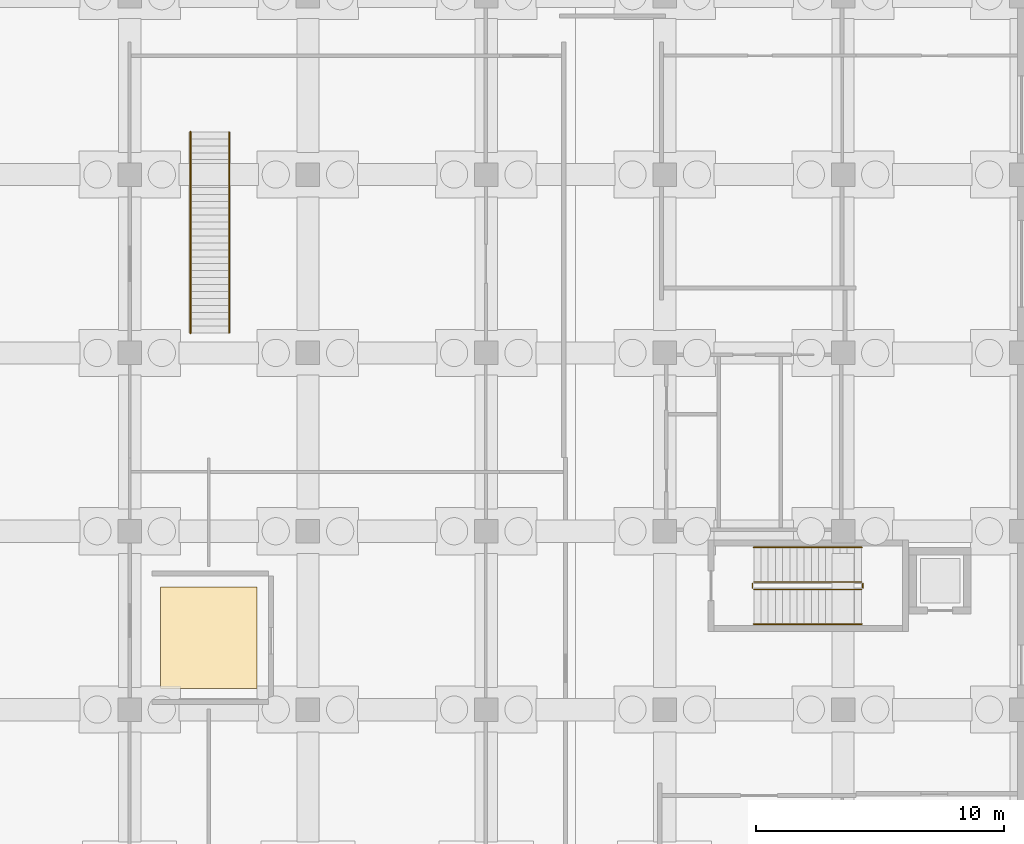
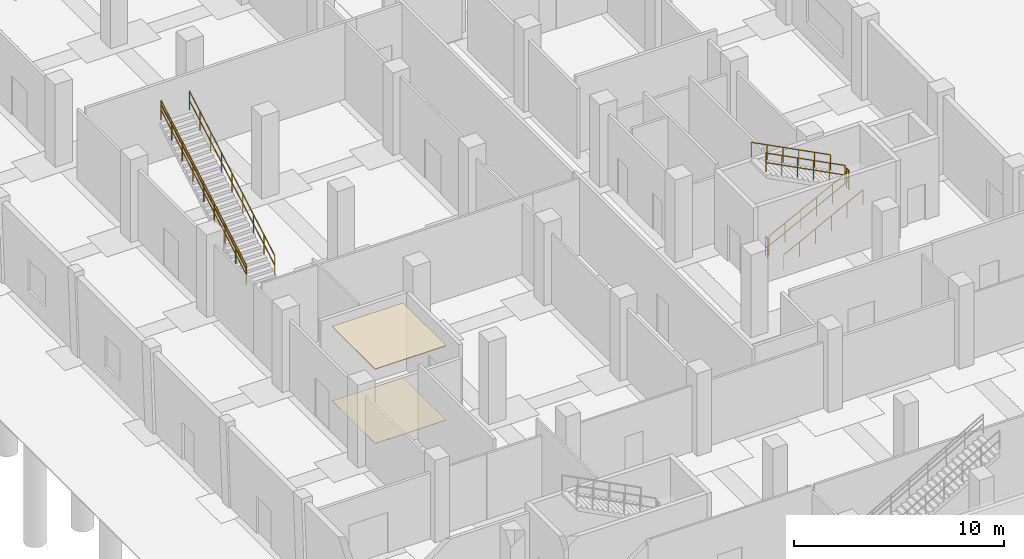
# One storey, part 39 of 48: 9 railings, 2 coverings.
"""IFC4 building model written with IfcOpenShell, lengths in metres."""

from ifc_helpers import new_model, si_unit, direction, frame, origin, origin_2d, place, context, subcontext, project, spatial, polyline, circle, outline, extrude, material, layer, layer_set, type_object, element, save


model = new_model("IFC4")

# Units and contexts
model_context = context("Model", 3, precision=1e-05, world=origin(), true_north=direction((0.0, 1.0)))
body_context = subcontext(model_context, "Body", "Model", "MODEL_VIEW")
ifc_project = project(units=[si_unit("LENGTHUNIT", "METRE"), si_unit("AREAUNIT", "SQUARE_METRE"), si_unit("VOLUMEUNIT", "CUBIC_METRE"), si_unit("PLANEANGLEUNIT", "RADIAN"), si_unit("MASSUNIT", "GRAM", prefix="KILO")], contexts=[model_context])

# Site, building, storey
site_placement = place(None, origin())
site = spatial("IfcSite", under=ifc_project, at=site_placement, CompositionType="ELEMENT")
building_placement = place(site_placement, origin())
building = spatial("IfcBuilding", under=site, at=building_placement, Name="Seraya Terrace Polytechnic", CompositionType="ELEMENT")
storey_placement = place(building_placement, origin())
storey = spatial("IfcBuildingStorey", under=building, at=storey_placement, Name="L00", CompositionType="ELEMENT", Elevation=0.0)

# Coverings
ifc_material_1 = material(Name="Acoustic mineral fibre and timber baffle ceiling", Category="wood")
ifc_layer_1 = layer(ifc_material_1, 0.0400390625, Name="CL-01")
ifc_layer_set_1 = layer_set([ifc_layer_1], Name="Acoustic mineral fibre and timber baffle ceiling")
covering_type_1 = type_object("IfcCoveringType", Name="CL-01", PredefinedType="CEILING", material=ifc_layer_set_1)
covering_1_placement = place(storey_placement, frame((0.0, 0.0, 4.31005859375)))
element("IfcCovering", 1, at=covering_1_placement, inside=storey, type_object=covering_type_1, Name="Acoustic suspended ceiling L00-FCC", PredefinedType="CEILING", context=body_context, shape_type="SweptSolid", body=[
    extrude(outline(polyline([(8.449951171875, 40.949951171875), (12.35009765625, 40.949951171875), (12.35009765625, 36.85009765625), (8.449951171875, 36.85009765625), (8.449951171875, 40.949951171875)])), origin(), (0.0, 0.0, 1.0), 0.0400390625),
])
ifc_material_2 = material(Name="Heavy-duty epoxy and terrazzo floor finish")
ifc_layer_2 = layer(ifc_material_2, 0.02001953125, Name="FL-C1")
ifc_layer_set_2 = layer_set([ifc_layer_2], Name="Heavy-duty epoxy and terrazzo floor finish")
covering_type_2 = type_object("IfcCoveringType", Name="FL-C1", PredefinedType="FLOORING", material=ifc_layer_set_2)
covering_2_placement = place(storey_placement, origin())
element("IfcCovering", 2, at=covering_2_placement, inside=storey, type_object=covering_type_2, Name="Floor finish L00-FCC", PredefinedType="FLOORING", context=body_context, shape_type="SweptSolid", body=[
    extrude(outline(polyline([(8.449951171875, 40.949951171875), (12.35009765625, 40.949951171875), (12.35009765625, 36.85009765625), (8.449951171875, 36.85009765625), (8.449951171875, 40.949951171875)])), origin(), (0.0, 0.0, 1.0), 0.02001953125),
])

# Railings
ifc_material_3 = material(Name="Steel S355J2", Category="steel")
railing_type_1 = type_object("IfcRailingType", Name="GR-02", PredefinedType="GUARDRAIL", material=ifc_material_3)
railing_1_placement = place(storey_placement, frame((32.39990234375, 40.85009765625, 0.14990234375)))
element("IfcRailing", 3, at=railing_1_placement, inside=storey, type_object=railing_type_1, Name="L00 ST-04 stair guard 1", PredefinedType="GUARDRAIL", context=body_context, shape_type="SweptSolid", body=[
    extrude(circle(Radius=0.02392578125, at=origin_2d()), frame((0.0, 0.0, 1.10595703125), z_axis=(0.888221851817, 0.0, 0.459414782038), x_axis=(0.0, 1.0, 0.0)), (0.0, 0.0, 1.0), 4.8974609375),
    extrude(circle(Radius=0.02392578125, at=origin_2d()), frame((0.0, 0.0, 0.550048828125), z_axis=(0.888221851817, 0.0, 0.459414782038), x_axis=(0.0, 1.0, 0.0)), (0.0, 0.0, 1.0), 4.8974609375),
    extrude(circle(Radius=0.02099609375, at=origin_2d()), origin(), (0.0, 0.0, 1.0), 1.081787109375),
    extrude(circle(Radius=0.02099609375, at=origin_2d()), frame((0.8701171875, 0.0, 0.449951171875)), (0.0, 0.0, 1.0), 1.081787109375),
    extrude(circle(Radius=0.02099609375, at=origin_2d()), frame((1.739990234375, 0.0, 0.89990234375)), (0.0, 0.0, 1.0), 1.081787109375),
    extrude(circle(Radius=0.02099609375, at=origin_2d()), frame((2.610107421875, 0.0, 1.35009765625)), (0.0, 0.0, 1.0), 1.081787109375),
    extrude(circle(Radius=0.02099609375, at=origin_2d()), frame((3.47998046875, 0.0, 1.800048828125)), (0.0, 0.0, 1.0), 1.081787109375),
    extrude(circle(Radius=0.02099609375, at=origin_2d()), frame((4.35009765625, 0.0, 2.25)), (0.0, 0.0, 1.0), 1.081787109375),
])
railing_2_placement = place(storey_placement, frame((36.800048828125, 40.89990234375, 2.39990234375)))
element("IfcRailing", 4, at=railing_2_placement, inside=storey, type_object=railing_type_1, Name="L00 ST-04 stair guard 2", PredefinedType="GUARDRAIL", context=body_context, shape_type="SweptSolid", body=[
    extrude(circle(Radius=0.02392578125, at=origin_2d()), frame((0.0, 0.0, 1.10595703125), z_axis=(0.0, 1.0, 0.0), x_axis=(-1.0, 0.0, 0.0)), (0.0, 0.0, 1.0), 0.2001953125),
    extrude(circle(Radius=0.02392578125, at=origin_2d()), frame((0.0, 0.0, 0.550048828125), z_axis=(0.0, 1.0, 0.0), x_axis=(-1.0, 0.0, 0.0)), (0.0, 0.0, 1.0), 0.2001953125),
    extrude(circle(Radius=0.02099609375, at=origin_2d()), origin(), (0.0, 0.0, 1.0), 1.081787109375),
    extrude(circle(Radius=0.02099609375, at=origin_2d()), frame((0.0, 0.2001953125, 0.0)), (0.0, 0.0, 1.0), 1.081787109375),
])
railing_3_placement = place(storey_placement, frame((36.75, 41.14990234375, 2.550048828125)))
element("IfcRailing", 5, at=railing_3_placement, inside=storey, type_object=railing_type_1, Name="L00 ST-04 stair guard 3", PredefinedType="GUARDRAIL", context=body_context, shape_type="SweptSolid", body=[
    extrude(circle(Radius=0.02392578125, at=origin_2d()), frame((0.0, 0.0, 1.10595703125), z_axis=(-0.888221851817, 0.0, 0.459414782038), x_axis=(0.0, -1.0, 0.0)), (0.0, 0.0, 1.0), 4.8974609375),
    extrude(circle(Radius=0.02392578125, at=origin_2d()), frame((0.0, 0.0, 0.550048828125), z_axis=(-0.888221851817, 0.0, 0.459414782038), x_axis=(0.0, -1.0, 0.0)), (0.0, 0.0, 1.0), 4.8974609375),
    extrude(circle(Radius=0.02099609375, at=origin_2d()), origin(), (0.0, 0.0, 1.0), 1.081787109375),
    extrude(circle(Radius=0.02099609375, at=origin_2d()), frame((-0.8701171875, 0.0, 0.449951171875)), (0.0, 0.0, 1.0), 1.081787109375),
    extrude(circle(Radius=0.02099609375, at=origin_2d()), frame((-1.739990234375, 0.0, 0.89990234375)), (0.0, 0.0, 1.0), 1.081787109375),
    extrude(circle(Radius=0.02099609375, at=origin_2d()), frame((-2.610107421875, 0.0, 1.35009765625)), (0.0, 0.0, 1.0), 1.081787109375),
    extrude(circle(Radius=0.02099609375, at=origin_2d()), frame((-3.47998046875, 0.0, 1.800048828125)), (0.0, 0.0, 1.0), 1.081787109375),
    extrude(circle(Radius=0.02099609375, at=origin_2d()), frame((-4.35009765625, 0.0, 2.25)), (0.0, 0.0, 1.0), 1.081787109375),
])
railing_4_placement = place(storey_placement, frame((32.35009765625, 40.89990234375, 0.0)))
element("IfcRailing", 6, at=railing_4_placement, inside=storey, type_object=railing_type_1, Name="L00 ST-04 stair guard 4", PredefinedType="GUARDRAIL", context=body_context, shape_type="SweptSolid", body=[
    extrude(circle(Radius=0.02392578125, at=origin_2d()), frame((0.0, 0.0, 1.10595703125), z_axis=(0.0, 1.0, 0.0), x_axis=(-1.0, 0.0, 0.0)), (0.0, 0.0, 1.0), 0.2001953125),
    extrude(circle(Radius=0.02392578125, at=origin_2d()), frame((0.0, 0.0, 0.550048828125), z_axis=(0.0, 1.0, 0.0), x_axis=(-1.0, 0.0, 0.0)), (0.0, 0.0, 1.0), 0.2001953125),
    extrude(circle(Radius=0.02099609375, at=origin_2d()), origin(), (0.0, 0.0, 1.0), 1.081787109375),
    extrude(circle(Radius=0.02099609375, at=origin_2d()), frame((0.0, 0.2001953125, 0.0)), (0.0, 0.0, 1.0), 1.081787109375),
])
for number, where, name in (
    (7, (11.219970703125, 51.199951171875, 0.159912109375), "ST-12 flight guard L00"),
    (8, (9.659912109375, 51.199951171875, 0.159912109375), "ST-12 flight outer guard L00"),
):
    element("IfcRailing", number, at=place(storey_placement, frame(where)), inside=storey, type_object=railing_type_1, Name=name, PredefinedType="GUARDRAIL", context=body_context, shape_type="SweptSolid", body=[
        extrude(circle(Radius=0.02392578125, at=origin_2d()), frame((0.0, 0.0, 1.10595703125), z_axis=(0.0, 0.868239929229, 0.496144560882), x_axis=(-1.0, 0.0, 0.0)), (0.0, 0.0, 1.0), 9.352294921875),
        extrude(circle(Radius=0.02392578125, at=origin_2d()), frame((0.0, 0.0, 0.550048828125), z_axis=(0.0, 0.868239929229, 0.496144560882), x_axis=(-1.0, 0.0, 0.0)), (0.0, 0.0, 1.0), 9.352294921875),
        extrude(circle(Radius=0.02099609375, at=origin_2d()), origin(), (0.0, 0.0, 1.0), 1.081787109375),
        extrude(circle(Radius=0.02099609375, at=origin_2d()), frame((0.0, 1.01513671875, 0.580078125)), (0.0, 0.0, 1.0), 1.081787109375),
        extrude(circle(Radius=0.02099609375, at=origin_2d()), frame((0.0, 2.030029296875, 1.16015625)), (0.0, 0.0, 1.0), 1.081787109375),
        extrude(circle(Radius=0.02099609375, at=origin_2d()), frame((0.0, 3.044921875, 1.739990234375)), (0.0, 0.0, 1.0), 1.081787109375),
        extrude(circle(Radius=0.02099609375, at=origin_2d()), frame((0.0, 4.06005859375, 2.320068359375)), (0.0, 0.0, 1.0), 1.081787109375),
        extrude(circle(Radius=0.02099609375, at=origin_2d()), frame((0.0, 5.0751953125, 2.900146484375)), (0.0, 0.0, 1.0), 1.081787109375),
        extrude(circle(Radius=0.02099609375, at=origin_2d()), frame((0.0, 6.090087890625, 3.47998046875)), (0.0, 0.0, 1.0), 1.081787109375),
        extrude(circle(Radius=0.02099609375, at=origin_2d()), frame((0.0, 7.10498046875, 4.06005859375)), (0.0, 0.0, 1.0), 1.081787109375),
        extrude(circle(Radius=0.02099609375, at=origin_2d()), frame((0.0, 8.1201171875, 4.64013671875)), (0.0, 0.0, 1.0), 1.081787109375),
    ])
railing_type_2 = type_object("IfcRailingType", Name="HR-01", PredefinedType="HANDRAIL", material=ifc_material_3)
railing_5_placement = place(storey_placement, frame((32.39990234375, 39.449951171875, 0.14990234375)))
element("IfcRailing", 9, at=railing_5_placement, inside=storey, type_object=railing_type_2, Name="L00 ST-04 stair handrail 1", PredefinedType="HANDRAIL", context=body_context, shape_type="SweptSolid", body=[
    extrude(circle(Radius=0.02392578125, at=origin_2d()), frame((0.0, 0.0, 0.8759765625), z_axis=(0.888221851817, 0.0, 0.459414782038), x_axis=(0.0, 1.0, 0.0)), (0.0, 0.0, 1.0), 4.8974609375),
    extrude(circle(Radius=0.02099609375, at=origin_2d()), origin(), (0.0, 0.0, 1.0), 0.851806640625),
    extrude(circle(Radius=0.02099609375, at=origin_2d()), frame((0.8701171875, 0.0, 0.449951171875)), (0.0, 0.0, 1.0), 0.851806640625),
    extrude(circle(Radius=0.02099609375, at=origin_2d()), frame((1.739990234375, 0.0, 0.89990234375)), (0.0, 0.0, 1.0), 0.851806640625),
    extrude(circle(Radius=0.02099609375, at=origin_2d()), frame((2.610107421875, 0.0, 1.35009765625)), (0.0, 0.0, 1.0), 0.851806640625),
    extrude(circle(Radius=0.02099609375, at=origin_2d()), frame((3.47998046875, 0.0, 1.800048828125)), (0.0, 0.0, 1.0), 0.851806640625),
    extrude(circle(Radius=0.02099609375, at=origin_2d()), frame((4.35009765625, 0.0, 2.25)), (0.0, 0.0, 1.0), 0.851806640625),
])
railing_6_placement = place(storey_placement, frame((36.75, 42.550048828125, 2.550048828125)))
element("IfcRailing", 10, at=railing_6_placement, inside=storey, type_object=railing_type_2, Name="L00 ST-04 stair handrail 2", PredefinedType="HANDRAIL", context=body_context, shape_type="SweptSolid", body=[
    extrude(circle(Radius=0.02392578125, at=origin_2d()), frame((0.0, 0.0, 0.8759765625), z_axis=(-0.888221851817, 0.0, 0.459414782038), x_axis=(0.0, -1.0, 0.0)), (0.0, 0.0, 1.0), 4.8974609375),
    extrude(circle(Radius=0.02099609375, at=origin_2d()), origin(), (0.0, 0.0, 1.0), 0.851806640625),
    extrude(circle(Radius=0.02099609375, at=origin_2d()), frame((-0.8701171875, 0.0, 0.449951171875)), (0.0, 0.0, 1.0), 0.851806640625),
    extrude(circle(Radius=0.02099609375, at=origin_2d()), frame((-1.739990234375, 0.0, 0.89990234375)), (0.0, 0.0, 1.0), 0.851806640625),
    extrude(circle(Radius=0.02099609375, at=origin_2d()), frame((-2.610107421875, 0.0, 1.35009765625)), (0.0, 0.0, 1.0), 0.851806640625),
    extrude(circle(Radius=0.02099609375, at=origin_2d()), frame((-3.47998046875, 0.0, 1.800048828125)), (0.0, 0.0, 1.0), 0.851806640625),
    extrude(circle(Radius=0.02099609375, at=origin_2d()), frame((-4.35009765625, 0.0, 2.25)), (0.0, 0.0, 1.0), 0.851806640625),
])
railing_7_placement = place(storey_placement, frame((9.659912109375, 51.199951171875, 0.159912109375)))
element("IfcRailing", 11, at=railing_7_placement, inside=storey, type_object=railing_type_2, Name="ST-12 handrail L00", PredefinedType="HANDRAIL", context=body_context, shape_type="SweptSolid", body=[
    extrude(circle(Radius=0.02392578125, at=origin_2d()), frame((0.0, 0.0, 0.8759765625), z_axis=(0.0, 0.868239929229, 0.496144560882), x_axis=(-1.0, 0.0, 0.0)), (0.0, 0.0, 1.0), 9.352294921875),
    extrude(circle(Radius=0.02099609375, at=origin_2d()), origin(), (0.0, 0.0, 1.0), 0.851806640625),
    extrude(circle(Radius=0.02099609375, at=origin_2d()), frame((0.0, 1.01513671875, 0.580078125)), (0.0, 0.0, 1.0), 0.851806640625),
    extrude(circle(Radius=0.02099609375, at=origin_2d()), frame((0.0, 2.030029296875, 1.16015625)), (0.0, 0.0, 1.0), 0.851806640625),
    extrude(circle(Radius=0.02099609375, at=origin_2d()), frame((0.0, 3.044921875, 1.739990234375)), (0.0, 0.0, 1.0), 0.851806640625),
    extrude(circle(Radius=0.02099609375, at=origin_2d()), frame((0.0, 4.06005859375, 2.320068359375)), (0.0, 0.0, 1.0), 0.851806640625),
    extrude(circle(Radius=0.02099609375, at=origin_2d()), frame((0.0, 5.0751953125, 2.900146484375)), (0.0, 0.0, 1.0), 0.851806640625),
    extrude(circle(Radius=0.02099609375, at=origin_2d()), frame((0.0, 6.090087890625, 3.47998046875)), (0.0, 0.0, 1.0), 0.851806640625),
    extrude(circle(Radius=0.02099609375, at=origin_2d()), frame((0.0, 7.10498046875, 4.06005859375)), (0.0, 0.0, 1.0), 0.851806640625),
    extrude(circle(Radius=0.02099609375, at=origin_2d()), frame((0.0, 8.1201171875, 4.64013671875)), (0.0, 0.0, 1.0), 0.851806640625),
])

save(model, "model.ifc")
